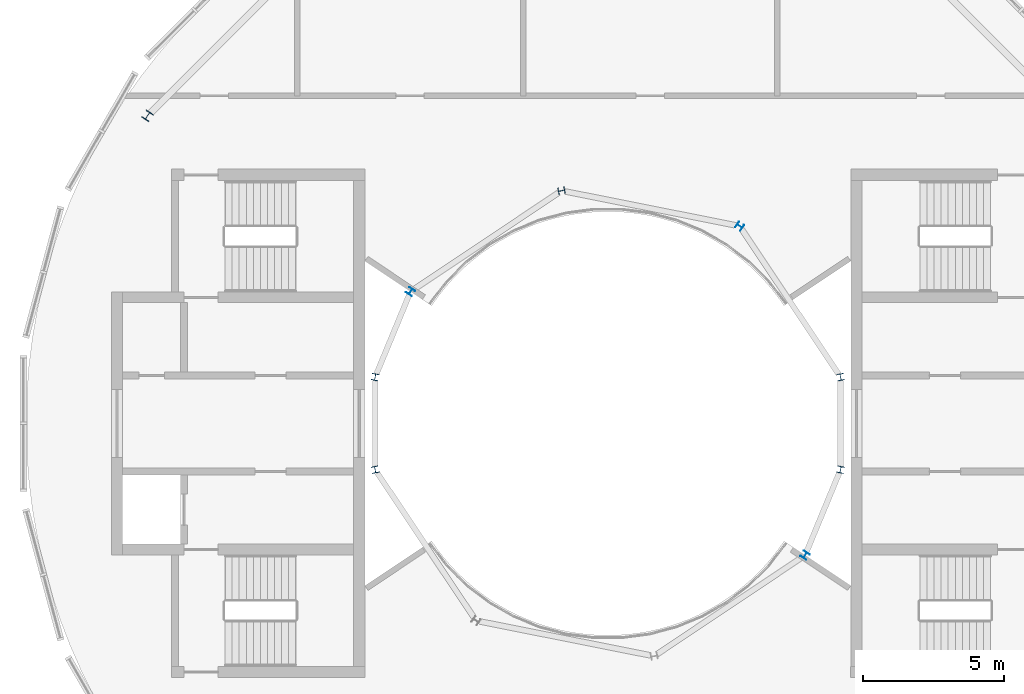
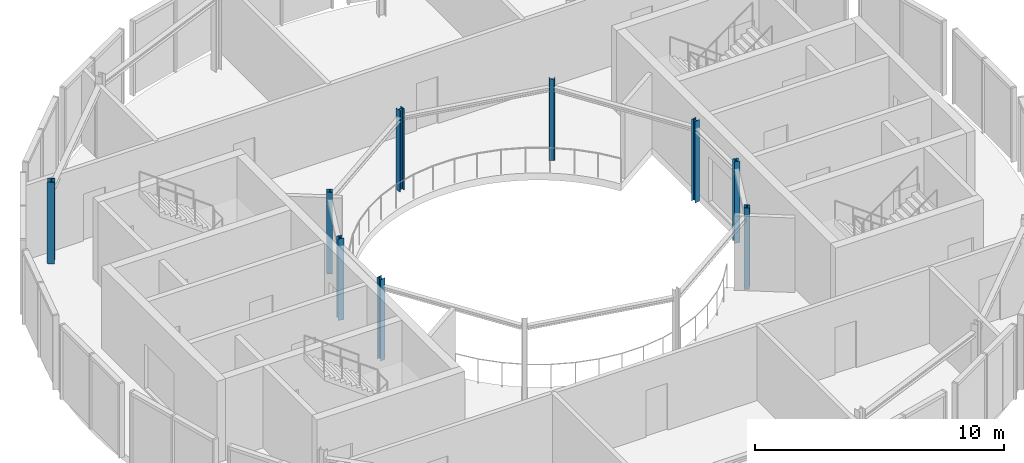
# One storey, part 2 of 12: 9 columns.
"""IFC4 building model written with IfcOpenShell, lengths in metres."""

from ifc_helpers import new_model, si_unit, direction, frame, origin, origin_2d, place, context, subcontext, project, spatial, i_section, extrude, material, material_profile, profile_set, type_object, element, save


model = new_model("IFC4")

# Units and contexts
model_context = context("Model", 3, precision=1e-05, world=origin(), true_north=direction((0.0, 1.0)))
body_context = subcontext(model_context, "Body", "Model", "MODEL_VIEW")
ifc_project = project(units=[si_unit("LENGTHUNIT", "METRE"), si_unit("AREAUNIT", "SQUARE_METRE"), si_unit("VOLUMEUNIT", "CUBIC_METRE"), si_unit("PLANEANGLEUNIT", "RADIAN"), si_unit("MASSUNIT", "GRAM", prefix="KILO")], contexts=[model_context])

# Site, building, storey
site_placement = place(None, origin())
site = spatial("IfcSite", under=ifc_project, at=site_placement, CompositionType="ELEMENT")
building_placement = place(site_placement, origin())
building = spatial("IfcBuilding", under=site, at=building_placement, Name="Maasbend Ring Residences", CompositionType="ELEMENT")
storey_placement = place(building_placement, frame((0.0, 0.0, 265.5)))
storey = spatial("IfcBuildingStorey", under=building, at=storey_placement, Name="L76", CompositionType="ELEMENT", Elevation=265.5)

# Columns
ifc_material_1 = material(Name="Steel S355J2", Category="steel")
ifc_material_profile_1 = material_profile(ifc_material_1, i_section(OverallWidth=0.239990234375, OverallDepth=0.22998046875, WebThickness=0.007568359375, FlangeThickness=0.011962890625, FilletRadius=0.02099609375, at=origin_2d()), Name="HEA 240")
ifc_profile_set_1 = profile_set([ifc_material_profile_1], Name="Steel S355J2")
column_type_1 = type_object("IfcColumnType", Name="Steel column HEA 240", PredefinedType="COLUMN", material=ifc_profile_set_1)
for number, where, z_axis, x_axis, name in (
    (1, (8.238525390625, 1.638916015625, 0.0), (0.0, 0.0, 1.0), (0.980785280403, 0.195090322016, 0.0), "Well ring column R1"),
    (2, (4.666748046875, 6.984375, 0.0), (0.0, 0.0, 1.0), (0.55557023302, 0.831469612303, 0.0), "Well ring column R3"),
    (3, (-1.638916015625, 8.238525390625, 0.0), (0.0, 0.0, 1.0), (-0.195090322016, 0.980785280403, 0.0), "Well ring column R5"),
    (4, (-6.984375, 4.666748046875, 0.0), (0.0, 0.0, 1.0), (-0.831469612303, 0.55557023302, 0.0), "Well ring column R7"),
    (5, (-8.238525390625, 1.638916015625, 0.0), (0.0, 0.0, 1.0), (-0.980785280403, 0.195090322016, 0.0), "Well ring column R8"),
    (6, (-8.238525390625, -1.638916015625, 0.0), (0.0, 0.0, 1.0), (-0.980785280403, -0.195090322016, 0.0), "Well ring column R9"),
    (7, (6.984375, -4.666748046875, 0.0), (0.0, 0.0, 1.0), (0.831469612303, -0.55557023302, 0.0), "Well ring column R15"),
    (8, (8.238525390625, -1.638916015625, 0.0), (0.0, 0.0, 1.0), (0.980785280403, -0.195090322016, 0.0), "Well ring column R16"),
):
    element("IfcColumn", number, at=place(storey_placement, frame(where, z_axis=z_axis, x_axis=x_axis)), inside=storey, type_object=column_type_1, Name=name, PredefinedType="COLUMN", context=body_context, shape_type="SweptSolid", body=[
        extrude(i_section(OverallWidth=0.239990234375, OverallDepth=0.22998046875, WebThickness=0.007568359375, FlangeThickness=0.011962890625, FilletRadius=0.02099609375, at=origin_2d()), origin(), (0.0, 0.0, 1.0), 4.0),
    ])
ifc_material_2 = material(Name="Steel S355J2", Category="steel")
ifc_material_profile_2 = material_profile(ifc_material_2, i_section(OverallWidth=0.300048828125, OverallDepth=0.300048828125, WebThickness=0.010986328125, FlangeThickness=0.01904296875, FilletRadius=0.027099609375, at=origin_2d()), Name="HEB 300")
ifc_profile_set_2 = profile_set([ifc_material_profile_2], Name="Steel S355J2")
column_type_2 = type_object("IfcColumnType", Name="Steel column HEB 300", PredefinedType="COLUMN", material=ifc_profile_set_2)
column_placement = place(storey_placement, frame((-16.296875, 10.88916015625, 0.0), z_axis=(0.0, 0.0, 1.0), x_axis=(-0.831469612303, 0.55557023302, 0.0)))
element("IfcColumn", 9, at=column_placement, inside=storey, type_object=column_type_2, Name="Corridor ring column R7", PredefinedType="COLUMN", context=body_context, shape_type="SweptSolid", body=[
    extrude(i_section(OverallWidth=0.300048828125, OverallDepth=0.300048828125, WebThickness=0.010986328125, FlangeThickness=0.01904296875, FilletRadius=0.027099609375, at=origin_2d()), origin(), (0.0, 0.0, 1.0), 4.0),
])

save(model, "model.ifc")
